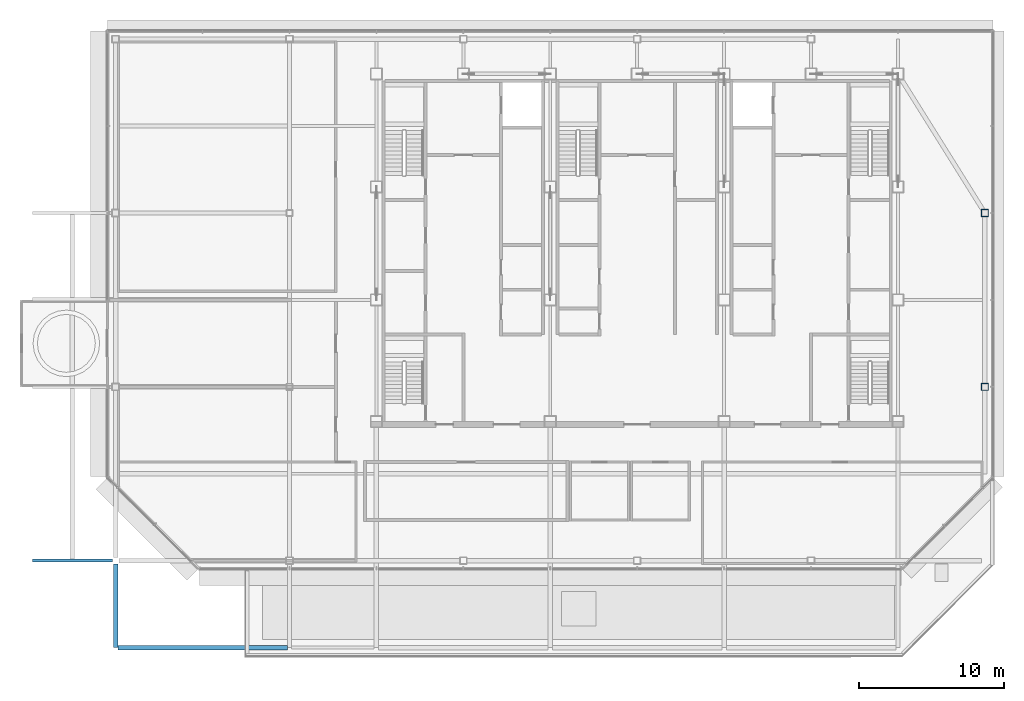
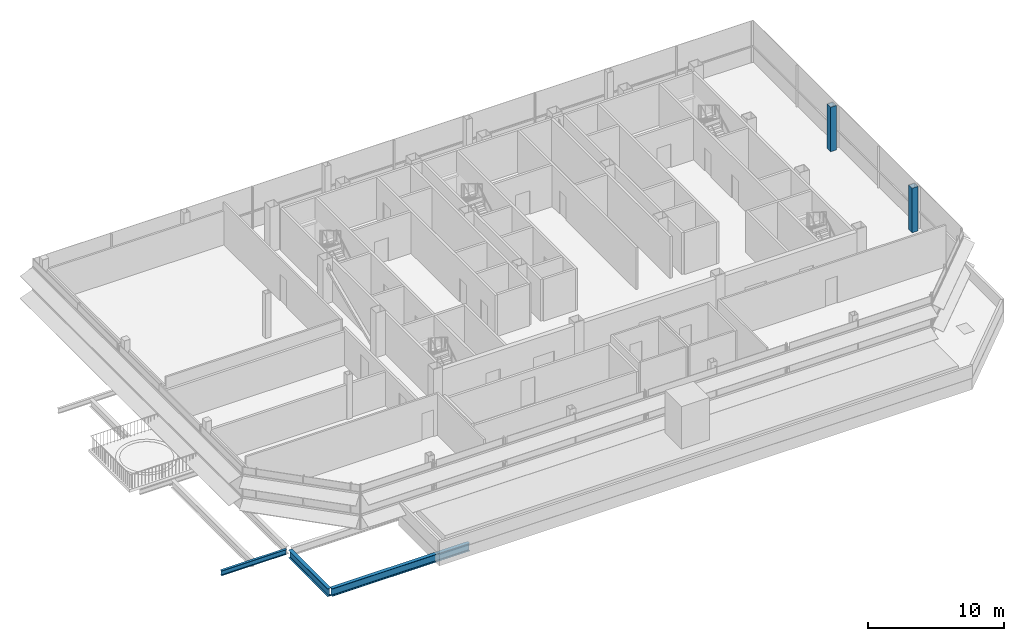
# One storey, part 2 of 26: 3 beams, 2 columns.
"""IFC4 building model written with IfcOpenShell, lengths in metres."""

from ifc_helpers import new_model, si_unit, direction, frame, origin, origin_2d, place, context, subcontext, project, spatial, hollow_rectangle, i_section, extrude, material, material_profile, profile_set, type_object, element, save


model = new_model("IFC4")

# Units and contexts
model_context = context("Model", 3, precision=1e-05, world=origin(), true_north=direction((0.0, 1.0)))
body_context = subcontext(model_context, "Body", "Model", "MODEL_VIEW")
ifc_project = project(units=[si_unit("LENGTHUNIT", "METRE"), si_unit("AREAUNIT", "SQUARE_METRE"), si_unit("VOLUMEUNIT", "CUBIC_METRE"), si_unit("PLANEANGLEUNIT", "RADIAN"), si_unit("MASSUNIT", "GRAM", prefix="KILO")], contexts=[model_context])

# Site, building, storey
site_placement = place(None, origin())
site = spatial("IfcSite", under=ifc_project, at=site_placement, CompositionType="ELEMENT")
building_placement = place(site_placement, origin())
building = spatial("IfcBuilding", under=site, at=building_placement, Name="Sorahane Residences", CompositionType="ELEMENT")
storey_placement = place(building_placement, frame((0.0, 0.0, 337.800048828125)))
storey = spatial("IfcBuildingStorey", under=building, at=storey_placement, Name="L80", CompositionType="ELEMENT", Elevation=337.800048828125)

# Columns
ifc_material_1 = material(Name="Steel Q355B", Category="steel")
ifc_material_profile_1 = material_profile(ifc_material_1, hollow_rectangle(XDim=0.5, YDim=0.5, WallThickness=0.02490234375, at=origin_2d()), Name="BOX 500x500x25")
ifc_profile_set_1 = profile_set([ifc_material_profile_1], Name="Steel Q355B")
column_type = type_object("IfcColumnType", Name="Steel box column BOX 500x500x25 Q355B", PredefinedType="COLUMN", material=ifc_profile_set_1)
for number, where, z_axis, x_axis, name in (
    (1, (48.0, 24.0, 0.0), (0.0, 0.0, 1.0), (1.0, 0.0, 0.0), "Column L80 48/24"),
    (2, (48.0, 36.0, 0.0), (0.0, 0.0, 1.0), (1.0, 0.0, 0.0), "Column L80 48/36"),
):
    element("IfcColumn", number, at=place(storey_placement, frame(where, z_axis=z_axis, x_axis=x_axis)), inside=storey, type_object=column_type, Name=name, PredefinedType="COLUMN", context=body_context, shape_type="SweptSolid", body=[
        extrude(hollow_rectangle(XDim=0.5, YDim=0.5, WallThickness=0.02490234375, at=origin_2d()), origin(), (0.0, 0.0, 1.0), 4.0),
    ])

# Beams
ifc_material_2 = material(Name="Steel Q355B", Category="steel")
ifc_material_profile_2 = material_profile(ifc_material_2, i_section(OverallWidth=0.199951171875, OverallDepth=0.449951171875, WebThickness=0.009033203125, FlangeThickness=0.013916015625, FilletRadius=0.02001953125, at=origin_2d()), Name="HN 450x200x9x14")
ifc_profile_set_2 = profile_set([ifc_material_profile_2], Name="Steel Q355B")
beam_type_1 = type_object("IfcBeamType", Name="Steel floor beam HN 450x200x9x14 Q355B", PredefinedType="BEAM", material=ifc_profile_set_2)
beam_1_placement = place(storey_placement, frame((-17.75, 12.0, -0.47509765625), z_axis=(1.0, 0.0, 0.0), x_axis=(0.0, 1.0, 0.0)))
element("IfcBeam", 3, at=beam_1_placement, inside=storey, type_object=beam_type_1, Name="Beam L80 000", PredefinedType="BEAM", context=body_context, shape_type="SweptSolid", body=[
    extrude(i_section(OverallWidth=0.199951171875, OverallDepth=0.449951171875, WebThickness=0.009033203125, FlangeThickness=0.013916015625, FilletRadius=0.02001953125, at=origin_2d()), origin(), (0.0, 0.0, 1.0), 5.52490234375),
])
ifc_material_3 = material(Name="Steel Q355B", Category="steel")
ifc_material_profile_3 = material_profile(ifc_material_3, i_section(OverallWidth=0.300048828125, OverallDepth=0.699951171875, WebThickness=0.012939453125, FlangeThickness=0.02392578125, FilletRadius=0.028076171875, at=origin_2d()), Name="HN 700x300x13x24")
ifc_profile_set_3 = profile_set([ifc_material_profile_3], Name="Steel Q355B")
beam_type_2 = type_object("IfcBeamType", Name="Steel floor beam HN 700x300x13x24 Q355B", PredefinedType="BEAM", material=ifc_profile_set_3)
beam_2_placement = place(storey_placement, frame((-12.0, 6.0, -0.60009765625), z_axis=(0.0, 1.0, 0.0), x_axis=(-1.0, 0.0, 0.0)))
element("IfcBeam", 4, at=beam_2_placement, inside=storey, type_object=beam_type_2, Name="Beam L80 017", PredefinedType="BEAM", context=body_context, shape_type="SweptSolid", body=[
    extrude(i_section(OverallWidth=0.300048828125, OverallDepth=0.699951171875, WebThickness=0.012939453125, FlangeThickness=0.02392578125, FilletRadius=0.028076171875, at=origin_2d()), origin(), (0.0, 0.0, 1.0), 5.77490234375),
])
beam_3_placement = place(storey_placement, frame((-11.85009765625, 6.0, -0.60009765625), z_axis=(1.0, 0.0, 0.0), x_axis=(0.0, 1.0, 0.0)))
element("IfcBeam", 5, at=beam_3_placement, inside=storey, type_object=beam_type_2, Name="Beam L80 051", PredefinedType="BEAM", context=body_context, shape_type="SweptSolid", body=[
    extrude(i_section(OverallWidth=0.300048828125, OverallDepth=0.699951171875, WebThickness=0.012939453125, FlangeThickness=0.02392578125, FilletRadius=0.028076171875, at=origin_2d()), origin(), (0.0, 0.0, 1.0), 11.7001953125),
])

save(model, "model.ifc")
